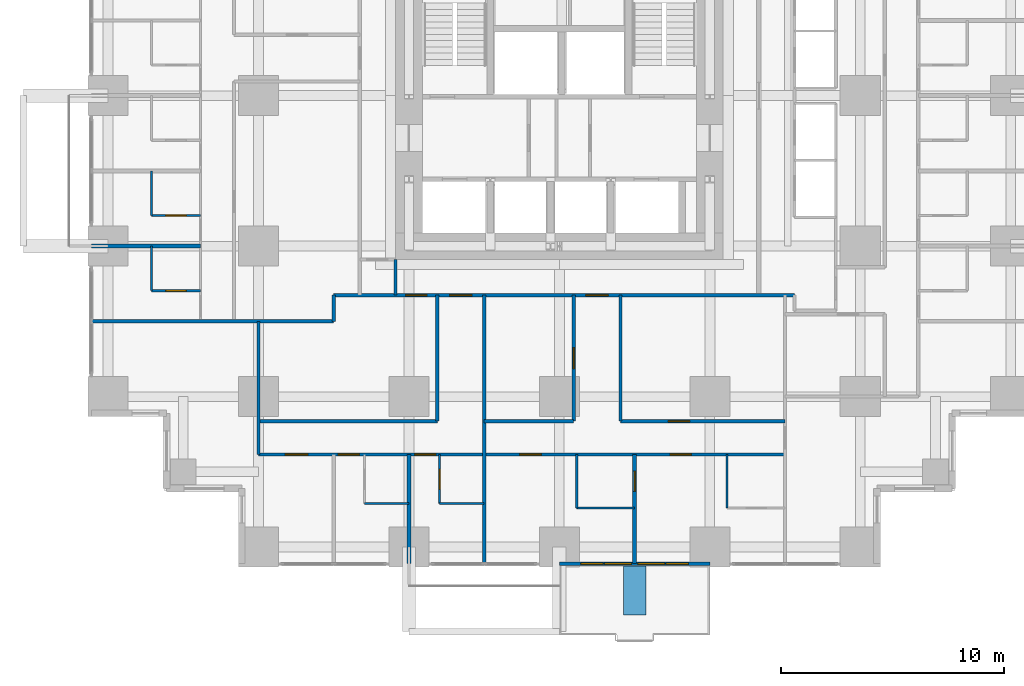
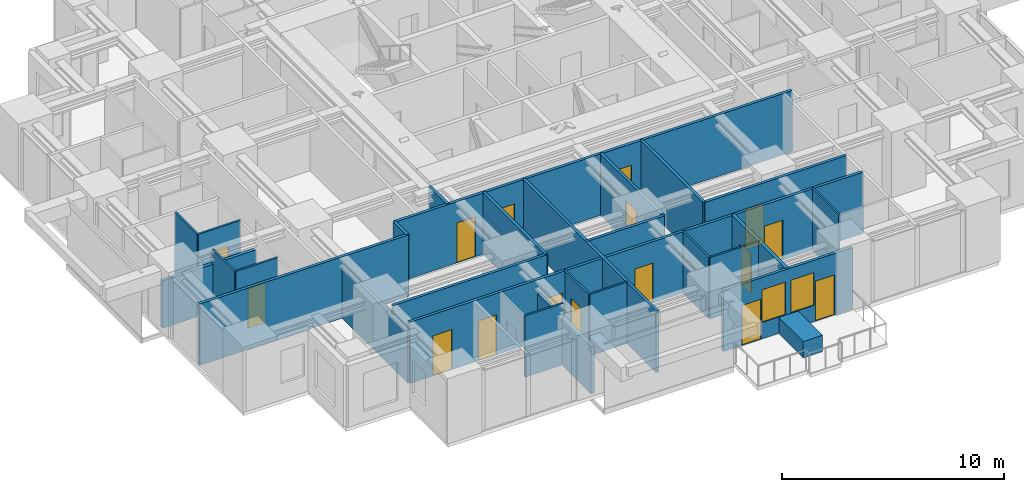
# One storey, part 7 of 12: 28 walls, 16 doors, 2 windows, 18 openings.
"""IFC4 building model written with IfcOpenShell, lengths in metres."""

import ifcopenshell
import ifcopenshell.guid

model = None  # the IFC model being written
_history = None  # IfcOwnerHistory: only IFC2X3 demands one
_inside = {}  # id of a spatial element -> (the spatial element, [elements in it])
_under = {}  # id of a project, library or spatial element -> (it, [spatial elements below it])
_declared = {}  # id of a project -> (the project, [libraries it declares])
_typed = {}  # id of a type object -> (the type object, [elements of that type])
_made_of = {}  # id of a material, layer set ... -> (it, [elements and type objects made of it])


def new_model(schema):
    """Start an empty IFC model of exactly this schema.

    Asked for "IFC4X3", IfcOpenShell would pick the latest addendum, in which some entities
    have other attributes; the version numbers below select the first issue.
    IFC2X3 requires an IfcOwnerHistory on every rooted entity: one is made here for all.
    """
    global model, _history
    if schema == "IFC4X3":
        model = ifcopenshell.file(schema_version=(4, 3, 0, 0))
    else:
        model = ifcopenshell.file(schema=schema)
    _inside.clear()
    _under.clear()
    _declared.clear()
    _typed.clear()
    _made_of.clear()
    _history = None
    if model.schema == "IFC2X3":
        org = make("IfcOrganization", Name="unknown")
        user = make(
            "IfcPersonAndOrganization",
            ThePerson=make("IfcPerson", FamilyName="unknown"),
            TheOrganization=org,
        )
        app = make(
            "IfcApplication",
            ApplicationDeveloper=org,
            Version="unknown",
            ApplicationFullName="unknown",
            ApplicationIdentifier="unknown",
        )
        _history = make(
            "IfcOwnerHistory",
            OwningUser=user,
            OwningApplication=app,
            ChangeAction="ADDED",
            CreationDate=0,
        )
    return model


def make(cls, **values):
    """One entity of the class cls with the attributes given. An attribute that is None is left unset."""
    return model.create_entity(
        cls, **{name: value for name, value in values.items() if value is not None}
    )


def rooted(cls, **values):
    """An entity with a GlobalId (a new one), such as an element, a storey or a relation."""
    return make(cls, GlobalId=ifcopenshell.guid.new(), OwnerHistory=_history, **values)


def si_unit(unit_type, name, prefix=None):
    """IfcSIUnit, for example si_unit("LENGTHUNIT", "METRE", prefix="MILLI")."""
    return make("IfcSIUnit", UnitType=unit_type, Prefix=prefix, Name=name)


def assignment(units):
    """IfcUnitAssignment: the units of a project."""
    return None if units is None else make("IfcUnitAssignment", Units=units)


def point(xyz):
    """IfcCartesianPoint."""
    return None if xyz is None else make("IfcCartesianPoint", Coordinates=xyz)


def direction(xyz):
    """IfcDirection."""
    return None if xyz is None else make("IfcDirection", DirectionRatios=xyz)


def frame(location, z_axis=None, x_axis=None):
    """IfcAxis2Placement3D, a coordinate frame: its origin and axes. An axis left out is left unset."""
    return make(
        "IfcAxis2Placement3D",
        Location=point(location),
        Axis=direction(z_axis),
        RefDirection=direction(x_axis),
    )


def frame_2d(location, x_axis=None):
    """IfcAxis2Placement2D, a coordinate frame in the plane: its origin and x axis."""
    return make(
        "IfcAxis2Placement2D", Location=point(location), RefDirection=direction(x_axis)
    )


def origin():
    """The frame at (0, 0, 0) with its axes left unset."""
    return frame((0.0, 0.0, 0.0))


def place(relative_to, where):
    """IfcLocalPlacement: puts the frame where relative to a parent placement (None: the world)."""
    return make(
        "IfcLocalPlacement", PlacementRelTo=relative_to, RelativePlacement=where
    )


def context(
    kind, dimensions, precision=None, world=None, true_north=None, identifier=None
):
    """IfcGeometricRepresentationContext, for example the 3D "Model" context."""
    return make(
        "IfcGeometricRepresentationContext",
        ContextIdentifier=identifier,
        ContextType=kind,
        CoordinateSpaceDimension=dimensions,
        Precision=precision,
        WorldCoordinateSystem=world,
        TrueNorth=true_north,
    )


def subcontext(parent, identifier, kind, view, scale=None):
    """IfcGeometricRepresentationSubContext, for example "Body" below "Model"."""
    return make(
        "IfcGeometricRepresentationSubContext",
        ContextIdentifier=identifier,
        ContextType=kind,
        ParentContext=parent,
        TargetScale=scale,
        TargetView=view,
    )


def project(units=None, contexts=None):
    """IfcProject with its units and contexts."""
    return rooted(
        "IfcProject",
        Name="project",
        RepresentationContexts=contexts,
        UnitsInContext=assignment(units),
    )


def spatial(cls, under=None, at=None, **own):
    """A site, building, storey or space (cls), placed at a placement, below another one or the project."""
    s = rooted(cls, ObjectPlacement=at, **own)
    if under is not None:
        _under.setdefault(under.id(), (under, []))[1].append(s)
    return s


def profile(cls, at=None, kind="AREA", **sizes):
    """A parametric profile (cls). Its sizes go by their IFC names, for example OverallWidth=200.0."""
    return make(cls, ProfileType=kind, Position=at, **sizes)


def rectangle(**sizes):
    """IfcRectangleProfileDef."""
    return profile("IfcRectangleProfileDef", **sizes)


def extrude(swept, where, along, depth):
    """IfcExtrudedAreaSolid: the profile swept, set in the frame where, extruded along a direction by depth."""
    return make(
        "IfcExtrudedAreaSolid",
        SweptArea=swept,
        Position=where,
        ExtrudedDirection=direction(along),
        Depth=depth,
    )


def shape(context_of_items, identifier, shape_type, items):
    """IfcShapeRepresentation: the items that make up one representation, for example the "Body"."""
    return make(
        "IfcShapeRepresentation",
        ContextOfItems=context_of_items,
        RepresentationIdentifier=identifier,
        RepresentationType=shape_type,
        Items=items,
    )


def material(Name=None, Category=None):
    """IfcMaterial."""
    return make("IfcMaterial", Name=Name, Category=Category)


def layer(
    of_material, thickness, ventilated=None, Name=None, Category=None, Priority=None
):
    """IfcMaterialLayer: one layer of a wall or slab, of a material (None: an air gap)."""
    return make(
        "IfcMaterialLayer",
        Material=of_material,
        LayerThickness=thickness,
        IsVentilated=ventilated,
        Name=Name,
        Category=Category,
        Priority=Priority,
    )


def layer_set(layers, Name=None):
    """IfcMaterialLayerSet."""
    return make("IfcMaterialLayerSet", MaterialLayers=layers, LayerSetName=Name)


def made_of(thing, what):
    """Note that an element or type object is made of a material, layer set ...; save() writes the relation."""
    if what is not None:
        _made_of.setdefault(what.id(), (what, []))[1].append(thing)
    return thing


def type_object(cls, material=None, **own):
    """A type object (cls), such as IfcWallType, which elements share."""
    return made_of(rooted(cls, **own), material)


def element(
    cls,
    number,
    at=None,
    inside=None,
    cuts=None,
    type_object=None,
    material=None,
    context=None,
    identifier="Body",
    shape_type=None,
    held_by="IfcProductDefinitionShape",
    body=None,
    shapes=None,
    **own,
):
    """One element of the class cls, such as IfcWall. Its Tag is "e" and its number.

    at: its placement. inside: the storey or other place that contains it. cuts: it is an
    opening in that element (IfcRelVoidsElement). A single representation is given by context,
    identifier, shape_type and body (its items); several are given by shapes. held_by: the class
    of the entity that holds the representations. save() writes the other relations.
    """
    e = rooted(cls, Tag="e%d" % number, ObjectPlacement=at, **own)
    if body is not None:
        shapes = [shape(context, identifier, shape_type, body)]
    if shapes is not None:
        e.Representation = make(held_by, Representations=shapes)
    if inside is not None:
        _inside.setdefault(inside.id(), (inside, []))[1].append(e)
    if cuts is not None:
        rooted(
            "IfcRelVoidsElement", RelatingBuildingElement=cuts, RelatedOpeningElement=e
        )
    if type_object is not None:
        _typed.setdefault(type_object.id(), (type_object, []))[1].append(e)
    return made_of(e, material)


def fill(opening, filler):
    """IfcRelFillsElement: the door or window that sits in an opening."""
    return rooted(
        "IfcRelFillsElement",
        RelatingOpeningElement=opening,
        RelatedBuildingElement=filler,
    )


def aggregate(whole, parts):
    """IfcRelAggregates: a whole, such as a stair, and the parts it consists of."""
    return rooted("IfcRelAggregates", RelatingObject=whole, RelatedObjects=parts)


def save(model, path):
    """Write the relations noted so far, then the file.

    IfcRelAggregates (storeys below a building ...), IfcRelContainedInSpatialStructure (elements
    in a storey), IfcRelDefinesByType, IfcRelAssociatesMaterial and IfcRelDeclares: one each for
    every whole, place, type object, material and project.
    """
    for whole, parts in _under.values():
        aggregate(whole, parts)
    for where, things in _inside.values():
        rooted(
            "IfcRelContainedInSpatialStructure",
            RelatedElements=things,
            RelatingStructure=where,
        )
    for kind, things in _typed.values():
        rooted("IfcRelDefinesByType", RelatedObjects=things, RelatingType=kind)
    for what, things in _made_of.values():
        rooted("IfcRelAssociatesMaterial", RelatedObjects=things, RelatingMaterial=what)
    for by, libraries in _declared.values():
        rooted("IfcRelDeclares", RelatingContext=by, RelatedDefinitions=libraries)
    model.write(path)


model = new_model("IFC4")

# Units and contexts
model_context = context("Model", 3, precision=1e-05, world=origin(), true_north=direction((0.0, 1.0)))
body_context = subcontext(model_context, "Body", "Model", "MODEL_VIEW")
ifc_project = project(units=[si_unit("LENGTHUNIT", "METRE"), si_unit("AREAUNIT", "SQUARE_METRE"), si_unit("VOLUMEUNIT", "CUBIC_METRE"), si_unit("PLANEANGLEUNIT", "RADIAN"), si_unit("MASSUNIT", "GRAM", prefix="KILO")], contexts=[model_context])

# Site, building, storey
site_placement = place(None, origin())
site = spatial("IfcSite", under=ifc_project, at=site_placement, CompositionType="ELEMENT")
building_placement = place(site_placement, origin())
building = spatial("IfcBuilding", under=site, at=building_placement, Name="Nyansa Garden Tower", CompositionType="ELEMENT")
storey_placement = place(building_placement, frame((0.0, 0.0, 98.10009765625)))
storey = spatial("IfcBuildingStorey", under=building, at=storey_placement, Name="L26", CompositionType="ELEMENT", Elevation=98.10009765625)

# Walls
ifc_material_1 = material(Name="Dense blockwork, plastered both sides, 55 dB", Category="masonry")
ifc_layer_1 = layer(ifc_material_1, 0.175048828125)
ifc_layer_set_1 = layer_set([ifc_layer_1], Name="Acoustic party wall PW175")
wall_type_1 = type_object("IfcWallType", Name="Acoustic party wall PW175", PredefinedType="PARTITIONING", material=ifc_layer_set_1)
for number, where, z_axis, x_axis, name in (
    (1, (-0.73388671875, 13.5, 0.0), (0.0, 0.0, 1.0), (1.0, 0.0, 0.0), "Party wall"),
    (2, (13.5, -0.73388671875, 0.0), (0.0, 0.0, 1.0), (0.0, 1.0, 0.0), "Party wall"),
):
    element("IfcWall", number, at=place(storey_placement, frame(where, z_axis=z_axis, x_axis=x_axis)), inside=storey, type_object=wall_type_1, Name=name, PredefinedType="PARTITIONING", context=body_context, shape_type="SweptSolid", body=[
        extrude(rectangle(XDim=4.8837890625, YDim=0.175048828125, at=frame_2d((2.44189453125, 0.0))), origin(), (0.0, 0.0, 1.0), 2.60986328125),
    ])

# Wall, opening, door
wall_1_placement = place(storey_placement, frame((23.625, -0.73388671875, 0.0), z_axis=(0.0, 0.0, 1.0), x_axis=(0.0, 1.0, 0.0)))
wall_1 = element("IfcWall", 3, at=wall_1_placement, inside=storey, type_object=wall_type_1, Name="Party wall", PredefinedType="PARTITIONING", context=body_context, shape_type="SweptSolid", body=[
    extrude(rectangle(XDim=4.8837890625, YDim=0.175048828125, at=frame_2d((2.44189453125, 0.0))), origin(), (0.0, 0.0, 1.0), 3.375),
])
opening_1_placement = place(wall_1_placement, frame((3.23388671875, 0.0, 0.0)))
opening_1 = element("IfcOpeningElement", 4, at=opening_1_placement, cuts=wall_1, Name="Opening D02", PredefinedType="OPENING", context=body_context, shape_type="SweptSolid", body=[
    extrude(rectangle(XDim=0.89990234375, YDim=2.199951171875, at=frame_2d((0.449951171875, 1.10009765625))), frame((0.0, 0.097412109375, 0.0), z_axis=(0.0, -1.0, 0.0), x_axis=(1.0, 0.0, 0.0)), (0.0, 0.0, 1.0), 0.195068359375),
])
ifc_material_2 = material(Name="Timber flush door", Category="wood")
door_type_1 = type_object("IfcDoorType", Name="En-suite door D02 900x2200", OperationType="SINGLE_SWING_RIGHT", PredefinedType="DOOR", material=ifc_material_2)
door_1_placement = place(opening_1_placement, origin())
door_1 = element("IfcDoor", 5, at=door_1_placement, inside=storey, type_object=door_type_1, Name="Door L26-027", OperationType="SINGLE_SWING_RIGHT", OverallHeight=2.199951171875, OverallWidth=0.89990234375, PredefinedType="DOOR", context=body_context, shape_type="SweptSolid", body=[
    extrude(rectangle(XDim=0.89990234375, YDim=2.199951171875, at=frame_2d((0.449951171875, 1.10009765625))), frame((0.0, 0.02490234375, 0.0), z_axis=(0.0, -1.0, 0.0), x_axis=(1.0, 0.0, 0.0)), (0.0, 0.0, 1.0), 0.050048828125),
])
fill(opening_1, door_1)

# Wall, openings, doors, windows
ifc_material_3 = material(Name="Black aluminium framed glazed screen", Category="aluminium")
ifc_layer_2 = layer(ifc_material_3, 0.14990234375)
ifc_layer_set_2 = layer_set([ifc_layer_2], Name="Balcony screen wall BW150")
wall_type_2 = type_object("IfcWallType", Name="Balcony screen wall BW150", PredefinedType="SOLIDWALL", material=ifc_layer_set_2)
wall_2_placement = place(storey_placement, frame((27.0, -0.75, 0.0), z_axis=(0.0, 0.0, 1.0), x_axis=(-1.0, 0.0, 0.0)))
wall_2 = element("IfcWall", 6, at=wall_2_placement, inside=storey, type_object=wall_type_2, Name="Glazed screen wall L26 S", PredefinedType="SOLIDWALL", context=body_context, shape_type="SweptSolid", body=[
    extrude(rectangle(XDim=6.75, YDim=0.14990234375, at=frame_2d((3.375, 0.0))), origin(), (0.0, 0.0, 1.0), 3.375),
])
opening_2_placement = place(wall_2_placement, frame((0.96240234375, 0.0, 0.0)))
opening_2 = element("IfcOpeningElement", 7, at=opening_2_placement, cuts=wall_2, Name="Opening D20", PredefinedType="OPENING", context=body_context, shape_type="SweptSolid", body=[
    extrude(rectangle(XDim=1.0, YDim=2.199951171875, at=frame_2d((0.5, 1.10009765625))), frame((0.0, 0.0849609375, 0.0), z_axis=(0.0, -1.0, 0.0), x_axis=(1.0, 0.0, 0.0)), (0.0, 0.0, 1.0), 0.169921875),
])
opening_3_placement = place(wall_2_placement, frame((2.02490234375, 0.0, 0.89990234375)))
opening_3 = element("IfcOpeningElement", 8, at=opening_3_placement, cuts=wall_2, Name="Opening W6", PredefinedType="OPENING", context=body_context, shape_type="SweptSolid", body=[
    extrude(rectangle(XDim=1.199951171875, YDim=1.800048828125, at=frame_2d((0.60009765625, 0.89990234375))), frame((0.0, 0.0849609375, 0.0), z_axis=(0.0, -1.0, 0.0), x_axis=(1.0, 0.0, 0.0)), (0.0, 0.0, 1.0), 0.169921875),
])
opening_4_placement = place(wall_2_placement, frame((4.78759765625, 0.0, 0.0)))
opening_4 = element("IfcOpeningElement", 9, at=opening_4_placement, cuts=wall_2, Name="Opening D20", PredefinedType="OPENING", context=body_context, shape_type="SweptSolid", body=[
    extrude(rectangle(XDim=1.0, YDim=2.199951171875, at=frame_2d((0.5, 1.10009765625))), frame((0.0, 0.0849609375, 0.0), z_axis=(0.0, -1.0, 0.0), x_axis=(1.0, 0.0, 0.0)), (0.0, 0.0, 1.0), 0.169921875),
])
opening_5_placement = place(wall_2_placement, frame((3.52490234375, 0.0, 0.89990234375)))
opening_5 = element("IfcOpeningElement", 10, at=opening_5_placement, cuts=wall_2, Name="Opening W6", PredefinedType="OPENING", context=body_context, shape_type="SweptSolid", body=[
    extrude(rectangle(XDim=1.199951171875, YDim=1.800048828125, at=frame_2d((0.60009765625, 0.89990234375))), frame((0.0, 0.0849609375, 0.0), z_axis=(0.0, -1.0, 0.0), x_axis=(1.0, 0.0, 0.0)), (0.0, 0.0, 1.0), 0.169921875),
])
ifc_material_4 = material(Name="Black aluminium framed glazed door", Category="aluminium")
door_type_2 = type_object("IfcDoorType", Name="Balcony door D20 1000x2200", OperationType="NOTDEFINED", PredefinedType="DOOR", material=ifc_material_4)
door_2_placement = place(opening_2_placement, origin())
door_2 = element("IfcDoor", 11, at=door_2_placement, inside=storey, type_object=door_type_2, Name="Balcony door L26", OperationType="SINGLE_SWING_LEFT", OverallHeight=2.199951171875, OverallWidth=1.0, PredefinedType="DOOR", context=body_context, shape_type="SweptSolid", body=[
    extrude(rectangle(XDim=1.0, YDim=2.199951171875, at=frame_2d((0.5, 1.10009765625))), frame((0.0, 0.02490234375, 0.0), z_axis=(0.0, -1.0, 0.0), x_axis=(1.0, 0.0, 0.0)), (0.0, 0.0, 1.0), 0.050048828125),
])
fill(opening_2, door_2)
door_3_placement = place(opening_4_placement, origin())
door_3 = element("IfcDoor", 12, at=door_3_placement, inside=storey, type_object=door_type_2, Name="Balcony door L26", OperationType="SINGLE_SWING_RIGHT", OverallHeight=2.199951171875, OverallWidth=1.0, PredefinedType="DOOR", context=body_context, shape_type="SweptSolid", body=[
    extrude(rectangle(XDim=1.0, YDim=2.199951171875, at=frame_2d((0.5, 1.10009765625))), frame((0.0, 0.02490234375, 0.0), z_axis=(0.0, -1.0, 0.0), x_axis=(1.0, 0.0, 0.0)), (0.0, 0.0, 1.0), 0.050048828125),
])
fill(opening_4, door_3)
ifc_material_5 = material(Name="Black aluminium frame, dark tinted double glazing", Category="aluminium")
window_type = type_object("IfcWindowType", Name="Balcony window W6 1200x1800", PartitioningType="SINGLE_PANEL", PredefinedType="WINDOW", material=ifc_material_5)
window_1_placement = place(opening_3_placement, origin())
window_1 = element("IfcWindow", 13, at=window_1_placement, inside=storey, type_object=window_type, Name="Window L26", OverallHeight=1.800048828125, OverallWidth=1.199951171875, PartitioningType="SINGLE_PANEL", PredefinedType="WINDOW", context=body_context, shape_type="SweptSolid", body=[
    extrude(rectangle(XDim=1.199951171875, YDim=1.800048828125, at=frame_2d((0.60009765625, 0.89990234375))), frame((0.0, 0.030029296875, 0.0), z_axis=(0.0, -1.0, 0.0), x_axis=(1.0, 0.0, 0.0)), (0.0, 0.0, 1.0), 0.06005859375),
])
fill(opening_3, window_1)
window_2_placement = place(opening_5_placement, origin())
window_2 = element("IfcWindow", 14, at=window_2_placement, inside=storey, type_object=window_type, Name="Window L26", OverallHeight=1.800048828125, OverallWidth=1.199951171875, PartitioningType="SINGLE_PANEL", PredefinedType="WINDOW", context=body_context, shape_type="SweptSolid", body=[
    extrude(rectangle(XDim=1.199951171875, YDim=1.800048828125, at=frame_2d((0.60009765625, 0.89990234375))), frame((0.0, 0.030029296875, 0.0), z_axis=(0.0, -1.0, 0.0), x_axis=(1.0, 0.0, 0.0)), (0.0, 0.0, 1.0), 0.06005859375),
])
fill(opening_5, window_2)

# Walls
ifc_material_6 = material(Name="Blockwork, plastered both sides", Category="masonry")
ifc_layer_3 = layer(ifc_material_6, 0.14990234375)
ifc_layer_set_3 = layer_set([ifc_layer_3], Name="Partition PW150")
wall_type_3 = type_object("IfcWallType", Name="Partition PW150", PredefinedType="PARTITIONING", material=ifc_layer_set_3)
wall_3_placement = place(storey_placement, frame((-0.73388671875, 10.125, 0.0), z_axis=(0.0, 0.0, 1.0), x_axis=(1.0, 0.0, 0.0)))
element("IfcWall", 15, at=wall_3_placement, inside=storey, type_object=wall_type_3, Name="Partition", PredefinedType="PARTITIONING", context=body_context, shape_type="SweptSolid", body=[
    extrude(rectangle(XDim=10.85888671875, YDim=0.14990234375, at=frame_2d((5.429443359375, 0.0))), origin(), (0.0, 0.0, 1.0), 3.375),
])
wall_4_placement = place(storey_placement, frame((6.75, 4.14990234375, 0.0), z_axis=(0.0, 0.0, 1.0), x_axis=(0.0, 1.0, 0.0)))
element("IfcWall", 16, at=wall_4_placement, inside=storey, type_object=wall_type_3, Name="Partition", PredefinedType="PARTITIONING", context=body_context, shape_type="SweptSolid", body=[
    extrude(rectangle(XDim=5.97509765625, YDim=0.14990234375, at=frame_2d((2.987548828125, 0.0))), origin(), (0.0, 0.0, 1.0), 2.876953125),
])

# Wall, openings, doors
wall_5_placement = place(storey_placement, frame((6.75, 4.14990234375, 0.0), z_axis=(0.0, 0.0, 1.0), x_axis=(1.0, 0.0, 0.0)))
wall_5 = element("IfcWall", 17, at=wall_5_placement, inside=storey, type_object=wall_type_3, Name="Partition", PredefinedType="PARTITIONING", context=body_context, shape_type="SweptSolid", body=[
    extrude(rectangle(XDim=23.625, YDim=0.14990234375, at=frame_2d((11.8125, 0.0))), origin(), (0.0, 0.0, 1.0), 3.375),
])
opening_6_placement = place(wall_5_placement, frame((1.199951171875, 0.0, 0.0)))
opening_6 = element("IfcOpeningElement", 18, at=opening_6_placement, cuts=wall_5, Name="Opening D03", PredefinedType="OPENING", context=body_context, shape_type="SweptSolid", body=[
    extrude(rectangle(XDim=1.0, YDim=2.199951171875, at=frame_2d((0.5, 1.10009765625))), frame((0.0, 0.0849609375, 0.0), z_axis=(0.0, -1.0, 0.0), x_axis=(1.0, 0.0, 0.0)), (0.0, 0.0, 1.0), 0.169921875),
])
opening_7_placement = place(wall_5_placement, frame((3.574951171875, 0.0, 0.0)))
opening_7 = element("IfcOpeningElement", 19, at=opening_7_placement, cuts=wall_5, Name="Opening D01", PredefinedType="OPENING", context=body_context, shape_type="SweptSolid", body=[
    extrude(rectangle(XDim=0.949951171875, YDim=2.199951171875, at=frame_2d((0.47509765625, 1.10009765625))), frame((0.0, 0.0849609375, 0.0), z_axis=(0.0, -1.0, 0.0), x_axis=(1.0, 0.0, 0.0)), (0.0, 0.0, 1.0), 0.169921875),
])
opening_8_placement = place(wall_5_placement, frame((7.0, 0.0, 0.0)))
opening_8 = element("IfcOpeningElement", 20, at=opening_8_placement, cuts=wall_5, Name="Opening D01", PredefinedType="OPENING", context=body_context, shape_type="SweptSolid", body=[
    extrude(rectangle(XDim=0.949951171875, YDim=2.199951171875, at=frame_2d((0.47509765625, 1.10009765625))), frame((0.0, 0.0849609375, 0.0), z_axis=(0.0, -1.0, 0.0), x_axis=(1.0, 0.0, 0.0)), (0.0, 0.0, 1.0), 0.169921875),
])
opening_9_placement = place(wall_5_placement, frame((18.47509765625, 0.0, 0.0)))
opening_9 = element("IfcOpeningElement", 21, at=opening_9_placement, cuts=wall_5, Name="Opening D14", PredefinedType="OPENING", context=body_context, shape_type="SweptSolid", body=[
    extrude(rectangle(XDim=0.949951171875, YDim=2.199951171875, at=frame_2d((0.47509765625, 1.10009765625))), frame((0.0, 0.0849609375, 0.0), z_axis=(0.0, -1.0, 0.0), x_axis=(1.0, 0.0, 0.0)), (0.0, 0.0, 1.0), 0.169921875),
])
opening_10_placement = place(wall_5_placement, frame((11.72509765625, 0.0, 0.0)))
opening_10 = element("IfcOpeningElement", 22, at=opening_10_placement, cuts=wall_5, Name="Opening D14", PredefinedType="OPENING", context=body_context, shape_type="SweptSolid", body=[
    extrude(rectangle(XDim=0.949951171875, YDim=2.199951171875, at=frame_2d((0.47509765625, 1.10009765625))), frame((0.0, 0.0849609375, 0.0), z_axis=(0.0, -1.0, 0.0), x_axis=(1.0, 0.0, 0.0)), (0.0, 0.0, 1.0), 0.169921875),
])
ifc_material_7 = material(Name="Timber flush door, 30 minute fire resisting", Category="wood")
door_type_3 = type_object("IfcDoorType", Name="Bedroom door D01 950x2200", OperationType="SINGLE_SWING_LEFT", PredefinedType="DOOR", material=ifc_material_7)
door_4_placement = place(opening_7_placement, origin())
door_4 = element("IfcDoor", 23, at=door_4_placement, inside=storey, type_object=door_type_3, Name="Door L26-019", OperationType="SINGLE_SWING_LEFT", OverallHeight=2.199951171875, OverallWidth=0.949951171875, PredefinedType="DOOR", context=body_context, shape_type="SweptSolid", body=[
    extrude(rectangle(XDim=0.949951171875, YDim=2.199951171875, at=frame_2d((0.47509765625, 1.10009765625))), frame((0.0, 0.02490234375, 0.0), z_axis=(0.0, -1.0, 0.0), x_axis=(1.0, 0.0, 0.0)), (0.0, 0.0, 1.0), 0.050048828125),
])
fill(opening_7, door_4)
door_5_placement = place(opening_8_placement, origin())
door_5 = element("IfcDoor", 24, at=door_5_placement, inside=storey, type_object=door_type_3, Name="Door L26-021", OperationType="SINGLE_SWING_LEFT", OverallHeight=2.199951171875, OverallWidth=0.949951171875, PredefinedType="DOOR", context=body_context, shape_type="SweptSolid", body=[
    extrude(rectangle(XDim=0.949951171875, YDim=2.199951171875, at=frame_2d((0.47509765625, 1.10009765625))), frame((0.0, 0.02490234375, 0.0), z_axis=(0.0, -1.0, 0.0), x_axis=(1.0, 0.0, 0.0)), (0.0, 0.0, 1.0), 0.050048828125),
])
fill(opening_8, door_5)
ifc_material_8 = material(Name="Timber flush door, 60 minute fire resisting", Category="wood")
door_type_4 = type_object("IfcDoorType", Name="Cluster entrance door D03 1000x2200", OperationType="SINGLE_SWING_LEFT", PredefinedType="DOOR", material=ifc_material_8)
door_6_placement = place(opening_6_placement, origin())
door_6 = element("IfcDoor", 25, at=door_6_placement, inside=storey, type_object=door_type_4, Name="Door L26-018", OperationType="SINGLE_SWING_LEFT", OverallHeight=2.199951171875, OverallWidth=1.0, PredefinedType="DOOR", context=body_context, shape_type="SweptSolid", body=[
    extrude(rectangle(XDim=1.0, YDim=2.199951171875, at=frame_2d((0.5, 1.10009765625))), frame((0.0, 0.02490234375, 0.0), z_axis=(0.0, -1.0, 0.0), x_axis=(1.0, 0.0, 0.0)), (0.0, 0.0, 1.0), 0.050048828125),
])
fill(opening_6, door_6)
ifc_material_9 = material(Name="Timber flush door, 60 minute fire resisting, self-closing", Category="wood")
door_type_5 = type_object("IfcDoorType", Name="Studio entrance door D14 950x2200", OperationType="SINGLE_SWING_LEFT", PredefinedType="DOOR", material=ifc_material_9)
door_7_placement = place(opening_9_placement, origin())
door_7 = element("IfcDoor", 26, at=door_7_placement, inside=storey, type_object=door_type_5, Name="Door L26-024", OperationType="SINGLE_SWING_LEFT", OverallHeight=2.199951171875, OverallWidth=0.949951171875, PredefinedType="DOOR", context=body_context, shape_type="SweptSolid", body=[
    extrude(rectangle(XDim=0.949951171875, YDim=2.199951171875, at=frame_2d((0.47509765625, 1.10009765625))), frame((0.0, 0.02490234375, 0.0), z_axis=(0.0, -1.0, 0.0), x_axis=(1.0, 0.0, 0.0)), (0.0, 0.0, 1.0), 0.050048828125),
])
fill(opening_9, door_7)
door_8_placement = place(opening_10_placement, origin())
door_8 = element("IfcDoor", 27, at=door_8_placement, inside=storey, type_object=door_type_5, Name="Door L26-026", OperationType="SINGLE_SWING_LEFT", OverallHeight=2.199951171875, OverallWidth=0.949951171875, PredefinedType="DOOR", context=body_context, shape_type="SweptSolid", body=[
    extrude(rectangle(XDim=0.949951171875, YDim=2.199951171875, at=frame_2d((0.47509765625, 1.10009765625))), frame((0.0, 0.02490234375, 0.0), z_axis=(0.0, -1.0, 0.0), x_axis=(1.0, 0.0, 0.0)), (0.0, 0.0, 1.0), 0.050048828125),
])
fill(opening_10, door_8)

# Walls
wall_6_placement = place(storey_placement, frame((6.75, 5.64990234375, 0.0), z_axis=(0.0, 0.0, 1.0), x_axis=(1.0, 0.0, 0.0)))
element("IfcWall", 28, at=wall_6_placement, inside=storey, type_object=wall_type_3, Name="Partition", PredefinedType="PARTITIONING", context=body_context, shape_type="SweptSolid", body=[
    extrude(rectangle(XDim=8.02490234375, YDim=0.14990234375, at=frame_2d((4.012451171875, 0.0))), origin(), (0.0, 0.0, 1.0), 3.375),
])
wall_7_placement = place(storey_placement, frame((10.125, 10.125, 0.0), z_axis=(0.0, 0.0, 1.0), x_axis=(0.0, 1.0, 0.0)))
element("IfcWall", 29, at=wall_7_placement, inside=storey, type_object=wall_type_3, Name="Partition", PredefinedType="PARTITIONING", context=body_context, shape_type="SweptSolid", body=[
    extrude(rectangle(XDim=1.175048828125, YDim=0.14990234375, at=frame_2d((0.58740234375, 0.0))), origin(), (0.0, 0.0, 1.0), 3.375),
])

# Wall, openings, doors
wall_8_placement = place(storey_placement, frame((10.125, 11.300048828125, 0.0), z_axis=(0.0, 0.0, 1.0), x_axis=(1.0, 0.0, 0.0)))
wall_8 = element("IfcWall", 30, at=wall_8_placement, inside=storey, type_object=wall_type_3, Name="Partition", PredefinedType="PARTITIONING", context=body_context, shape_type="SweptSolid", body=[
    extrude(rectangle(XDim=20.675048828125, YDim=0.14990234375, at=frame_2d((10.33740234375, 0.0))), origin(), (0.0, 0.0, 1.0), 3.375),
])
opening_11_placement = place(wall_8_placement, frame((5.199951171875, 0.0, 0.0)))
opening_11 = element("IfcOpeningElement", 31, at=opening_11_placement, cuts=wall_8, Name="Opening D03", PredefinedType="OPENING", context=body_context, shape_type="SweptSolid", body=[
    extrude(rectangle(XDim=1.0, YDim=2.199951171875, at=frame_2d((0.5, 1.10009765625))), frame((0.0, 0.0849609375, 0.0), z_axis=(0.0, -1.0, 0.0), x_axis=(1.0, 0.0, 0.0)), (0.0, 0.0, 1.0), 0.169921875),
])
opening_12_placement = place(wall_8_placement, frame((11.3125, 0.0, 0.0)))
opening_12 = element("IfcOpeningElement", 32, at=opening_12_placement, cuts=wall_8, Name="Opening D03", PredefinedType="OPENING", context=body_context, shape_type="SweptSolid", body=[
    extrude(rectangle(XDim=1.0, YDim=2.199951171875, at=frame_2d((0.5, 1.10009765625))), frame((0.0, 0.0849609375, 0.0), z_axis=(0.0, -1.0, 0.0), x_axis=(1.0, 0.0, 0.0)), (0.0, 0.0, 1.0), 0.169921875),
])
opening_13_placement = place(wall_8_placement, frame((3.22509765625, 0.0, 0.0)))
opening_13 = element("IfcOpeningElement", 33, at=opening_13_placement, cuts=wall_8, Name="Opening D01", PredefinedType="OPENING", context=body_context, shape_type="SweptSolid", body=[
    extrude(rectangle(XDim=0.949951171875, YDim=2.199951171875, at=frame_2d((0.47509765625, 1.10009765625))), frame((0.0, 0.0849609375, 0.0), z_axis=(0.0, -1.0, 0.0), x_axis=(1.0, 0.0, 0.0)), (0.0, 0.0, 1.0), 0.169921875),
])
door_9_placement = place(opening_13_placement, origin())
door_9 = element("IfcDoor", 34, at=door_9_placement, inside=storey, type_object=door_type_3, Name="Door L26-029", OperationType="SINGLE_SWING_LEFT", OverallHeight=2.199951171875, OverallWidth=0.949951171875, PredefinedType="DOOR", context=body_context, shape_type="SweptSolid", body=[
    extrude(rectangle(XDim=0.949951171875, YDim=2.199951171875, at=frame_2d((0.47509765625, 1.10009765625))), frame((0.0, 0.02490234375, 0.0), z_axis=(0.0, -1.0, 0.0), x_axis=(1.0, 0.0, 0.0)), (0.0, 0.0, 1.0), 0.050048828125),
])
fill(opening_13, door_9)
door_10_placement = place(opening_11_placement, origin())
door_10 = element("IfcDoor", 35, at=door_10_placement, inside=storey, type_object=door_type_4, Name="Door L26-023", OperationType="SINGLE_SWING_LEFT", OverallHeight=2.199951171875, OverallWidth=1.0, PredefinedType="DOOR", context=body_context, shape_type="SweptSolid", body=[
    extrude(rectangle(XDim=1.0, YDim=2.199951171875, at=frame_2d((0.5, 1.10009765625))), frame((0.0, 0.02490234375, 0.0), z_axis=(0.0, -1.0, 0.0), x_axis=(1.0, 0.0, 0.0)), (0.0, 0.0, 1.0), 0.050048828125),
])
fill(opening_11, door_10)
door_11_placement = place(opening_12_placement, origin())
door_11 = element("IfcDoor", 36, at=door_11_placement, inside=storey, type_object=door_type_4, Name="Door L26-028", OperationType="SINGLE_SWING_LEFT", OverallHeight=2.199951171875, OverallWidth=1.0, PredefinedType="DOOR", context=body_context, shape_type="SweptSolid", body=[
    extrude(rectangle(XDim=1.0, YDim=2.199951171875, at=frame_2d((0.5, 1.10009765625))), frame((0.0, 0.02490234375, 0.0), z_axis=(0.0, -1.0, 0.0), x_axis=(1.0, 0.0, 0.0)), (0.0, 0.0, 1.0), 0.050048828125),
])
fill(opening_12, door_11)

# Walls
wall_9_placement = place(storey_placement, frame((12.89990234375, 11.300048828125, 0.0), z_axis=(0.0, 0.0, 1.0), x_axis=(0.0, 1.0, 0.0)))
element("IfcWall", 37, at=wall_9_placement, inside=storey, type_object=wall_type_3, Name="Partition", PredefinedType="PARTITIONING", context=body_context, shape_type="SweptSolid", body=[
    extrude(rectangle(XDim=1.599853515625, YDim=0.14990234375, at=frame_2d((0.7998046875, 0.0))), origin(), (0.0, 0.0, 1.0), 3.375),
])
wall_10_placement = place(storey_placement, frame((14.77490234375, 5.64990234375, 0.0), z_axis=(0.0, 0.0, 1.0), x_axis=(0.0, 1.0, 0.0)))
element("IfcWall", 38, at=wall_10_placement, inside=storey, type_object=wall_type_3, Name="Partition", PredefinedType="PARTITIONING", context=body_context, shape_type="SweptSolid", body=[
    extrude(rectangle(XDim=5.650146484375, YDim=0.14990234375, at=frame_2d((2.8251953125, 0.0))), origin(), (0.0, 0.0, 1.0), 3.375),
])
wall_11_placement = place(storey_placement, frame((16.875, -0.73388671875, 0.0), z_axis=(0.0, 0.0, 1.0), x_axis=(0.0, 1.0, 0.0)))
element("IfcWall", 39, at=wall_11_placement, inside=storey, type_object=wall_type_3, Name="Partition", PredefinedType="PARTITIONING", context=body_context, shape_type="SweptSolid", body=[
    extrude(rectangle(XDim=12.033935546875, YDim=0.14990234375, at=frame_2d((6.01708984375, 0.0))), origin(), (0.0, 0.0, 1.0), 3.375),
])
wall_12_placement = place(storey_placement, frame((16.875, 5.64990234375, 0.0), z_axis=(0.0, 0.0, 1.0), x_axis=(1.0, 0.0, 0.0)))
element("IfcWall", 40, at=wall_12_placement, inside=storey, type_object=wall_type_3, Name="Partition", PredefinedType="PARTITIONING", context=body_context, shape_type="SweptSolid", body=[
    extrude(rectangle(XDim=4.012451171875, YDim=0.14990234375, at=frame_2d((2.00634765625, 0.0))), origin(), (0.0, 0.0, 1.0), 3.375),
])

# Wall, opening, door
wall_13_placement = place(storey_placement, frame((20.886962890625, 5.64990234375, 0.0), z_axis=(0.0, 0.0, 1.0), x_axis=(0.0, 1.0, 0.0)))
wall_13 = element("IfcWall", 41, at=wall_13_placement, inside=storey, type_object=wall_type_3, Name="Partition", PredefinedType="PARTITIONING", context=body_context, shape_type="SweptSolid", body=[
    extrude(rectangle(XDim=5.650146484375, YDim=0.14990234375, at=frame_2d((2.8251953125, 0.0))), origin(), (0.0, 0.0, 1.0), 3.375),
])
opening_14_placement = place(wall_13_placement, frame((2.35009765625, 0.0, 0.0)))
opening_14 = element("IfcOpeningElement", 42, at=opening_14_placement, cuts=wall_13, Name="Opening D01", PredefinedType="OPENING", context=body_context, shape_type="SweptSolid", body=[
    extrude(rectangle(XDim=0.949951171875, YDim=2.199951171875, at=frame_2d((0.47509765625, 1.10009765625))), frame((0.0, 0.0849609375, 0.0), z_axis=(0.0, -1.0, 0.0), x_axis=(1.0, 0.0, 0.0)), (0.0, 0.0, 1.0), 0.169921875),
])
door_12_placement = place(opening_14_placement, origin())
door_12 = element("IfcDoor", 43, at=door_12_placement, inside=storey, type_object=door_type_3, Name="Door L26-031", OperationType="SINGLE_SWING_LEFT", OverallHeight=2.199951171875, OverallWidth=0.949951171875, PredefinedType="DOOR", context=body_context, shape_type="SweptSolid", body=[
    extrude(rectangle(XDim=0.949951171875, YDim=2.199951171875, at=frame_2d((0.47509765625, 1.10009765625))), frame((0.0, 0.02490234375, 0.0), z_axis=(0.0, -1.0, 0.0), x_axis=(1.0, 0.0, 0.0)), (0.0, 0.0, 1.0), 0.050048828125),
])
fill(opening_14, door_12)

wall_14_placement = place(storey_placement, frame((22.987548828125, 5.64990234375, 0.0), z_axis=(0.0, 0.0, 1.0), x_axis=(1.0, 0.0, 0.0)))
wall_14 = element("IfcWall", 44, at=wall_14_placement, inside=storey, type_object=wall_type_3, Name="Partition", PredefinedType="PARTITIONING", context=body_context, shape_type="SweptSolid", body=[
    extrude(rectangle(XDim=7.387451171875, YDim=0.14990234375, at=frame_2d((3.69384765625, 0.0))), origin(), (0.0, 0.0, 1.0), 3.375),
])
opening_15_placement = place(wall_14_placement, frame((2.14990234375, 0.0, 0.0)))
opening_15 = element("IfcOpeningElement", 45, at=opening_15_placement, cuts=wall_14, Name="Opening D01", PredefinedType="OPENING", context=body_context, shape_type="SweptSolid", body=[
    extrude(rectangle(XDim=0.949951171875, YDim=2.199951171875, at=frame_2d((0.47509765625, 1.10009765625))), frame((0.0, 0.0849609375, 0.0), z_axis=(0.0, -1.0, 0.0), x_axis=(1.0, 0.0, 0.0)), (0.0, 0.0, 1.0), 0.169921875),
])
door_13_placement = place(opening_15_placement, origin())
door_13 = element("IfcDoor", 46, at=door_13_placement, inside=storey, type_object=door_type_3, Name="Door L26-030", OperationType="SINGLE_SWING_LEFT", OverallHeight=2.199951171875, OverallWidth=0.949951171875, PredefinedType="DOOR", context=body_context, shape_type="SweptSolid", body=[
    extrude(rectangle(XDim=0.949951171875, YDim=2.199951171875, at=frame_2d((0.47509765625, 1.10009765625))), frame((0.0, 0.02490234375, 0.0), z_axis=(0.0, -1.0, 0.0), x_axis=(1.0, 0.0, 0.0)), (0.0, 0.0, 1.0), 0.050048828125),
])
fill(opening_15, door_13)

# Walls
wall_15_placement = place(storey_placement, frame((22.988037109375, 5.64990234375, 0.0), z_axis=(0.0, 0.0, 1.0), x_axis=(0.0, 1.0, 0.0)))
element("IfcWall", 47, at=wall_15_placement, inside=storey, type_object=wall_type_3, Name="Partition", PredefinedType="PARTITIONING", context=body_context, shape_type="SweptSolid", body=[
    extrude(rectangle(XDim=5.650146484375, YDim=0.14990234375, at=frame_2d((2.8251953125, 0.0))), origin(), (0.0, 0.0, 1.0), 3.375),
])
ifc_material_10 = material(Name="Concrete C40/50 planter, waterproofed", Category="concrete")
ifc_layer_4 = layer(ifc_material_10, 1.0)
ifc_layer_set_4 = layer_set([ifc_layer_4], Name="Tree planter TP1")
wall_type_4 = type_object("IfcWallType", Name="Tree planter TP1", PredefinedType="USERDEFINED", material=ifc_layer_set_4)
wall_16_placement = place(storey_placement, frame((23.625, -0.85009765625, 0.0), z_axis=(0.0, 0.0, 1.0), x_axis=(0.0, -1.0, 0.0)))
element("IfcWall", 48, at=wall_16_placement, inside=storey, type_object=wall_type_4, Name="Tree planter L26", ObjectType="TREE PLANTER", PredefinedType="USERDEFINED", context=body_context, shape_type="SweptSolid", body=[
    extrude(rectangle(XDim=2.199951171875, YDim=1.0, at=frame_2d((1.10009765625, 0.0))), origin(), (0.0, 0.0, 1.0), 0.89990234375),
])
ifc_material_11 = material(Name="Moisture resistant board on steel studs, tiled", Category="steel")
ifc_layer_5 = layer(ifc_material_11, 0.10009765625)
ifc_layer_set_5 = layer_set([ifc_layer_5], Name="Wet wall PW100")
wall_type_5 = type_object("IfcWallType", Name="Wet wall PW100", PredefinedType="PARTITIONING", material=ifc_layer_set_5)
wall_17_placement = place(storey_placement, frame((1.949951171875, 11.5, 0.0), z_axis=(0.0, 0.0, 1.0), x_axis=(0.0, 1.0, 0.0)))
element("IfcWall", 49, at=wall_17_placement, inside=storey, type_object=wall_type_5, Name="Wet wall", PredefinedType="PARTITIONING", context=body_context, shape_type="SweptSolid", body=[
    extrude(rectangle(XDim=2.0, YDim=0.10009765625, at=frame_2d((1.0, 0.0))), origin(), (0.0, 0.0, 1.0), 3.375),
])

# Wall, opening, door
wall_18_placement = place(storey_placement, frame((1.949951171875, 11.5, 0.0), z_axis=(0.0, 0.0, 1.0), x_axis=(1.0, 0.0, 0.0)))
wall_18 = element("IfcWall", 50, at=wall_18_placement, inside=storey, type_object=wall_type_5, Name="Wet wall", PredefinedType="PARTITIONING", context=body_context, shape_type="SweptSolid", body=[
    extrude(rectangle(XDim=2.199951171875, YDim=0.10009765625, at=frame_2d((1.10009765625, 0.0))), origin(), (0.0, 0.0, 1.0), 3.375),
])
opening_16_placement = place(wall_18_placement, frame((0.64990234375, 0.0, 0.0)))
opening_16 = element("IfcOpeningElement", 51, at=opening_16_placement, cuts=wall_18, Name="Opening D02", PredefinedType="OPENING", context=body_context, shape_type="SweptSolid", body=[
    extrude(rectangle(XDim=0.89990234375, YDim=2.199951171875, at=frame_2d((0.449951171875, 1.10009765625))), frame((0.0, 0.06005859375, 0.0), z_axis=(0.0, -1.0, 0.0), x_axis=(1.0, 0.0, 0.0)), (0.0, 0.0, 1.0), 0.1201171875),
])
door_14_placement = place(opening_16_placement, origin())
door_14 = element("IfcDoor", 52, at=door_14_placement, inside=storey, type_object=door_type_1, Name="Door L26-056", OperationType="SINGLE_SWING_RIGHT", OverallHeight=2.199951171875, OverallWidth=0.89990234375, PredefinedType="DOOR", context=body_context, shape_type="SweptSolid", body=[
    extrude(rectangle(XDim=0.89990234375, YDim=2.199951171875, at=frame_2d((0.449951171875, 1.10009765625))), frame((0.0, 0.02490234375, 0.0), z_axis=(0.0, -1.0, 0.0), x_axis=(1.0, 0.0, 0.0)), (0.0, 0.0, 1.0), 0.050048828125),
])
fill(opening_16, door_14)

# Wall
wall_19_placement = place(storey_placement, frame((1.949951171875, 14.875, 0.0), z_axis=(0.0, 0.0, 1.0), x_axis=(0.0, 1.0, 0.0)))
element("IfcWall", 53, at=wall_19_placement, inside=storey, type_object=wall_type_5, Name="Wet wall", PredefinedType="PARTITIONING", context=body_context, shape_type="SweptSolid", body=[
    extrude(rectangle(XDim=2.0, YDim=0.10009765625, at=frame_2d((1.0, 0.0))), origin(), (0.0, 0.0, 1.0), 3.375),
])

# Wall, opening, door
wall_20_placement = place(storey_placement, frame((1.949951171875, 14.875, 0.0), z_axis=(0.0, 0.0, 1.0), x_axis=(1.0, 0.0, 0.0)))
wall_20 = element("IfcWall", 54, at=wall_20_placement, inside=storey, type_object=wall_type_5, Name="Wet wall", PredefinedType="PARTITIONING", context=body_context, shape_type="SweptSolid", body=[
    extrude(rectangle(XDim=2.199951171875, YDim=0.10009765625, at=frame_2d((1.10009765625, 0.0))), origin(), (0.0, 0.0, 1.0), 3.375),
])
opening_17_placement = place(wall_20_placement, frame((0.64990234375, 0.0, 0.0)))
opening_17 = element("IfcOpeningElement", 55, at=opening_17_placement, cuts=wall_20, Name="Opening D02", PredefinedType="OPENING", context=body_context, shape_type="SweptSolid", body=[
    extrude(rectangle(XDim=0.89990234375, YDim=2.199951171875, at=frame_2d((0.449951171875, 1.10009765625))), frame((0.0, 0.06005859375, 0.0), z_axis=(0.0, -1.0, 0.0), x_axis=(1.0, 0.0, 0.0)), (0.0, 0.0, 1.0), 0.1201171875),
])
door_15_placement = place(opening_17_placement, origin())
door_15 = element("IfcDoor", 56, at=door_15_placement, inside=storey, type_object=door_type_1, Name="Door L26-058", OperationType="SINGLE_SWING_RIGHT", OverallHeight=2.199951171875, OverallWidth=0.89990234375, PredefinedType="DOOR", context=body_context, shape_type="SweptSolid", body=[
    extrude(rectangle(XDim=0.89990234375, YDim=2.199951171875, at=frame_2d((0.449951171875, 1.10009765625))), frame((0.0, 0.02490234375, 0.0), z_axis=(0.0, -1.0, 0.0), x_axis=(1.0, 0.0, 0.0)), (0.0, 0.0, 1.0), 0.050048828125),
])
fill(opening_17, door_15)

# Wall
wall_21_placement = place(storey_placement, frame((11.5, 1.949951171875, 0.0), z_axis=(0.0, 0.0, 1.0), x_axis=(1.0, 0.0, 0.0)))
element("IfcWall", 57, at=wall_21_placement, inside=storey, type_object=wall_type_5, Name="Wet wall", PredefinedType="PARTITIONING", context=body_context, shape_type="SweptSolid", body=[
    extrude(rectangle(XDim=2.0, YDim=0.10009765625, at=frame_2d((1.0, 0.0))), origin(), (0.0, 0.0, 1.0), 3.375),
])

# Wall, opening, door
wall_22_placement = place(storey_placement, frame((14.875, 1.949951171875, 0.0), z_axis=(0.0, 0.0, 1.0), x_axis=(0.0, 1.0, 0.0)))
wall_22 = element("IfcWall", 58, at=wall_22_placement, inside=storey, type_object=wall_type_5, Name="Wet wall", PredefinedType="PARTITIONING", context=body_context, shape_type="SweptSolid", body=[
    extrude(rectangle(XDim=2.199951171875, YDim=0.10009765625, at=frame_2d((1.10009765625, 0.0))), origin(), (0.0, 0.0, 1.0), 3.375),
])
opening_18_placement = place(wall_22_placement, frame((0.64990234375, 0.0, 0.0)))
opening_18 = element("IfcOpeningElement", 59, at=opening_18_placement, cuts=wall_22, Name="Opening D02", PredefinedType="OPENING", context=body_context, shape_type="SweptSolid", body=[
    extrude(rectangle(XDim=0.89990234375, YDim=2.199951171875, at=frame_2d((0.449951171875, 1.10009765625))), frame((0.0, 0.06005859375, 0.0), z_axis=(0.0, -1.0, 0.0), x_axis=(1.0, 0.0, 0.0)), (0.0, 0.0, 1.0), 0.1201171875),
])
door_16_placement = place(opening_18_placement, origin())
door_16 = element("IfcDoor", 60, at=door_16_placement, inside=storey, type_object=door_type_1, Name="Door L26-022", OperationType="SINGLE_SWING_RIGHT", OverallHeight=2.199951171875, OverallWidth=0.89990234375, PredefinedType="DOOR", context=body_context, shape_type="SweptSolid", body=[
    extrude(rectangle(XDim=0.89990234375, YDim=2.199951171875, at=frame_2d((0.449951171875, 1.10009765625))), frame((0.0, 0.02490234375, 0.0), z_axis=(0.0, -1.0, 0.0), x_axis=(1.0, 0.0, 0.0)), (0.0, 0.0, 1.0), 0.050048828125),
])
fill(opening_18, door_16)

# Walls
wall_23_placement = place(storey_placement, frame((14.875, 1.949951171875, 0.0), z_axis=(0.0, 0.0, 1.0), x_axis=(1.0, 0.0, 0.0)))
element("IfcWall", 61, at=wall_23_placement, inside=storey, type_object=wall_type_5, Name="Wet wall", PredefinedType="PARTITIONING", context=body_context, shape_type="SweptSolid", body=[
    extrude(rectangle(XDim=2.0, YDim=0.10009765625, at=frame_2d((1.0, 0.0))), origin(), (0.0, 0.0, 1.0), 3.375),
])
wall_24_placement = place(storey_placement, frame((21.02490234375, 1.75, 0.0), z_axis=(0.0, 0.0, 1.0), x_axis=(0.0, 1.0, 0.0)))
element("IfcWall", 62, at=wall_24_placement, inside=storey, type_object=wall_type_5, Name="Wet wall", PredefinedType="PARTITIONING", context=body_context, shape_type="SweptSolid", body=[
    extrude(rectangle(XDim=2.39990234375, YDim=0.10009765625, at=frame_2d((1.199951171875, 0.0))), origin(), (0.0, 0.0, 1.0), 3.375),
])
wall_25_placement = place(storey_placement, frame((21.02490234375, 1.75, 0.0), z_axis=(0.0, 0.0, 1.0), x_axis=(1.0, 0.0, 0.0)))
element("IfcWall", 63, at=wall_25_placement, inside=storey, type_object=wall_type_5, Name="Wet wall", PredefinedType="PARTITIONING", context=body_context, shape_type="SweptSolid", body=[
    extrude(rectangle(XDim=2.60009765625, YDim=0.10009765625, at=frame_2d((1.300048828125, 0.0))), origin(), (0.0, 0.0, 1.0), 3.375),
])
wall_26_placement = place(storey_placement, frame((27.77490234375, 1.75, 0.0), z_axis=(0.0, 0.0, 1.0), x_axis=(0.0, 1.0, 0.0)))
element("IfcWall", 64, at=wall_26_placement, inside=storey, type_object=wall_type_5, Name="Wet wall", PredefinedType="PARTITIONING", context=body_context, shape_type="SweptSolid", body=[
    extrude(rectangle(XDim=2.39990234375, YDim=0.10009765625, at=frame_2d((1.199951171875, 0.0))), origin(), (0.0, 0.0, 1.0), 3.375),
])

save(model, "model.ifc")
